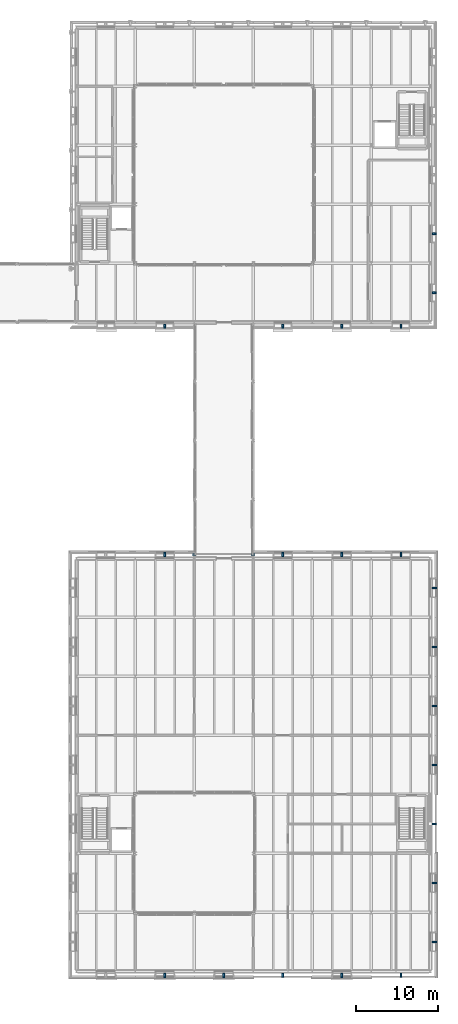
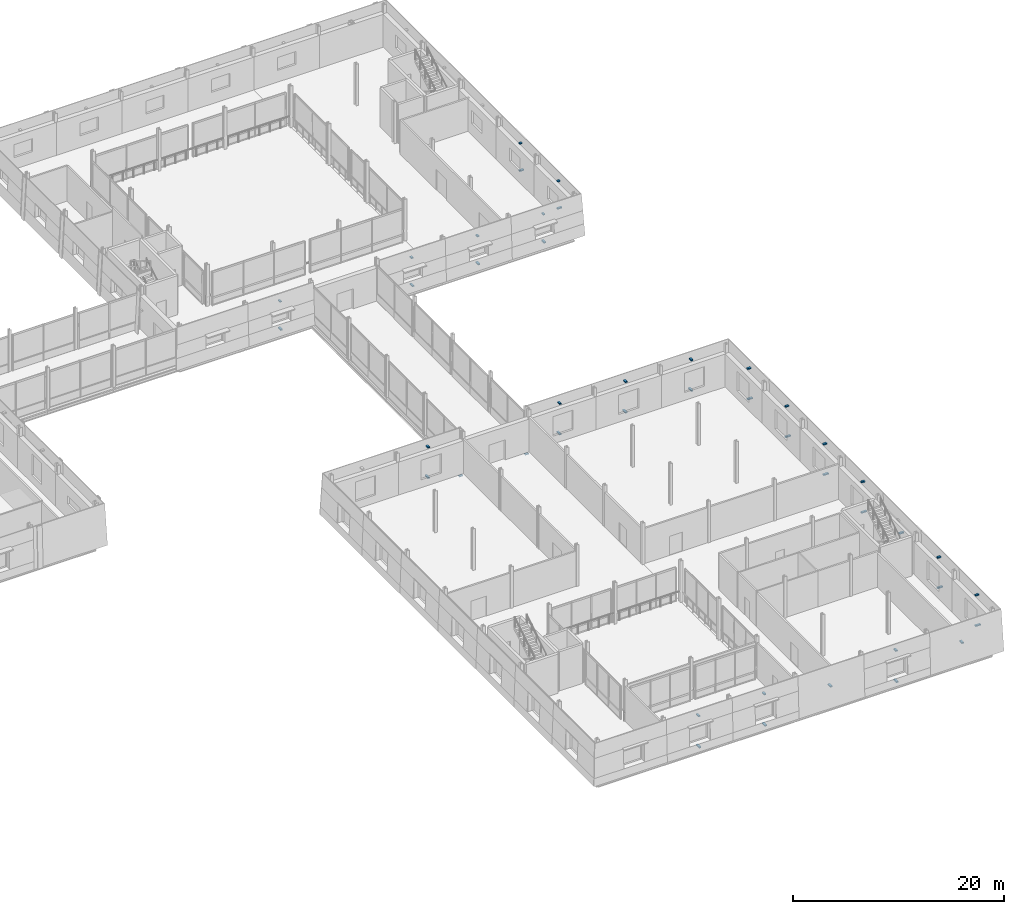
# One storey, part 97 of 121: 43 discrete accessories.
"""IFC4 building model written with IfcOpenShell, lengths in metres."""

from ifc_helpers import new_model, si_unit, direction, frame, origin, origin_2d, place, context, subcontext, project, spatial, rectangle, extrude, material, layer, layer_set, type_object, element, save


model = new_model("IFC4")

# Units and contexts
model_context = context("Model", 3, precision=1e-05, world=origin(), true_north=direction((0.0, 1.0)))
body_context = subcontext(model_context, "Body", "Model", "MODEL_VIEW")
ifc_project = project(units=[si_unit("LENGTHUNIT", "METRE"), si_unit("AREAUNIT", "SQUARE_METRE"), si_unit("VOLUMEUNIT", "CUBIC_METRE"), si_unit("PLANEANGLEUNIT", "RADIAN"), si_unit("MASSUNIT", "GRAM", prefix="KILO")], contexts=[model_context])

# Site, building, storey
site_placement = place(None, origin())
site = spatial("IfcSite", under=ifc_project, at=site_placement, CompositionType="ELEMENT")
building_placement = place(site_placement, origin())
building = spatial("IfcBuilding", under=site, at=building_placement, Name="Narikvali Park Central Library", CompositionType="ELEMENT")
storey_placement = place(building_placement, frame((0.0, 0.0, 5.39990234375)))
storey = spatial("IfcBuildingStorey", under=building, at=storey_placement, Name="L01", CompositionType="ELEMENT", Elevation=5.39990234375)

# Discrete accessories
ifc_material = material(Name="Brushed Stainless Steel S355", Category="steel")
ifc_layer_1 = layer(ifc_material, 0.139892578125, Name="Brushed Stainless Steel S355")
ifc_layer_set_1 = layer_set([ifc_layer_1], Name="Brushed Stainless Steel S355")
discrete_accessory_type_1 = type_object("IfcDiscreteAccessoryType", Name="Cladding Stainless Tie-Back Corbel Bracket", PredefinedType="BRACKET", material=ifc_layer_set_1)
discrete_accessory_1_placement = place(storey_placement, frame((133.199951171875, 78.743408203125, 0.60498046875), z_axis=(0.0, 0.0, 1.0), x_axis=(1.0, 0.0, 0.0)))
element("IfcDiscreteAccessory", 1, at=discrete_accessory_1_placement, inside=storey, type_object=discrete_accessory_type_1, Name="Limestone Cladding Tie-Back Bracket V3-CLD-L01-S-B02-SP", PredefinedType="BRACKET", context=body_context, shape_type="SweptSolid", body=[
    extrude(rectangle(XDim=0.219970703125, YDim=0.493408203125, at=origin_2d()), origin(), (0.0, 0.0, 1.0), 0.139892578125),
])
discrete_accessory_2_placement = place(storey_placement, frame((133.199951171875, 78.825439453125, 3.75537109375), z_axis=(0.0, 0.0, 1.0), x_axis=(1.0, 0.0, 0.0)))
element("IfcDiscreteAccessory", 2, at=discrete_accessory_2_placement, inside=storey, type_object=discrete_accessory_type_1, Name="Limestone Cladding Tie-Back Bracket V3-CLD-L01-S-B02-LN", PredefinedType="BRACKET", context=body_context, shape_type="SweptSolid", body=[
    extrude(rectangle(XDim=0.219970703125, YDim=0.3291015625, at=origin_2d()), origin(), (0.0, 0.0, 1.0), 0.139892578125),
])
discrete_accessory_3_placement = place(storey_placement, frame((147.60009765625, 78.743408203125, 0.60498046875), z_axis=(0.0, 0.0, 1.0), x_axis=(1.0, 0.0, 0.0)))
element("IfcDiscreteAccessory", 3, at=discrete_accessory_3_placement, inside=storey, type_object=discrete_accessory_type_1, Name="Limestone Cladding Tie-Back Bracket V3-CLD-L01-S-B04-SP", PredefinedType="BRACKET", context=body_context, shape_type="SweptSolid", body=[
    extrude(rectangle(XDim=0.219970703125, YDim=0.493408203125, at=origin_2d()), origin(), (0.0, 0.0, 1.0), 0.139892578125),
])
discrete_accessory_4_placement = place(storey_placement, frame((147.60009765625, 78.825439453125, 3.75537109375), z_axis=(0.0, 0.0, 1.0), x_axis=(1.0, 0.0, 0.0)))
element("IfcDiscreteAccessory", 4, at=discrete_accessory_4_placement, inside=storey, type_object=discrete_accessory_type_1, Name="Limestone Cladding Tie-Back Bracket V3-CLD-L01-S-B04-LN", PredefinedType="BRACKET", context=body_context, shape_type="SweptSolid", body=[
    extrude(rectangle(XDim=0.219970703125, YDim=0.3291015625, at=origin_2d()), origin(), (0.0, 0.0, 1.0), 0.139892578125),
])
discrete_accessory_5_placement = place(storey_placement, frame((154.800048828125, 78.743408203125, 0.60498046875), z_axis=(0.0, 0.0, 1.0), x_axis=(1.0, 0.0, 0.0)))
element("IfcDiscreteAccessory", 5, at=discrete_accessory_5_placement, inside=storey, type_object=discrete_accessory_type_1, Name="Limestone Cladding Tie-Back Bracket V3-CLD-L01-S-B05-SP", PredefinedType="BRACKET", context=body_context, shape_type="SweptSolid", body=[
    extrude(rectangle(XDim=0.219970703125, YDim=0.493408203125, at=origin_2d()), origin(), (0.0, 0.0, 1.0), 0.139892578125),
])
discrete_accessory_6_placement = place(storey_placement, frame((154.800048828125, 78.825439453125, 3.75537109375), z_axis=(0.0, 0.0, 1.0), x_axis=(1.0, 0.0, 0.0)))
element("IfcDiscreteAccessory", 6, at=discrete_accessory_6_placement, inside=storey, type_object=discrete_accessory_type_1, Name="Limestone Cladding Tie-Back Bracket V3-CLD-L01-S-B05-LN", PredefinedType="BRACKET", context=body_context, shape_type="SweptSolid", body=[
    extrude(rectangle(XDim=0.219970703125, YDim=0.3291015625, at=origin_2d()), origin(), (0.0, 0.0, 1.0), 0.139892578125),
])
discrete_accessory_7_placement = place(storey_placement, frame((162.0, 78.743408203125, 0.60498046875), z_axis=(0.0, 0.0, 1.0), x_axis=(1.0, 0.0, 0.0)))
element("IfcDiscreteAccessory", 7, at=discrete_accessory_7_placement, inside=storey, type_object=discrete_accessory_type_1, Name="Limestone Cladding Tie-Back Bracket V3-CLD-L01-S-B06-SP", PredefinedType="BRACKET", context=body_context, shape_type="SweptSolid", body=[
    extrude(rectangle(XDim=0.219970703125, YDim=0.493408203125, at=origin_2d()), origin(), (0.0, 0.0, 1.0), 0.139892578125),
])
discrete_accessory_8_placement = place(storey_placement, frame((162.0, 78.825439453125, 3.75537109375), z_axis=(0.0, 0.0, 1.0), x_axis=(1.0, 0.0, 0.0)))
element("IfcDiscreteAccessory", 8, at=discrete_accessory_8_placement, inside=storey, type_object=discrete_accessory_type_1, Name="Limestone Cladding Tie-Back Bracket V3-CLD-L01-S-B06-LN", PredefinedType="BRACKET", context=body_context, shape_type="SweptSolid", body=[
    extrude(rectangle(XDim=0.219970703125, YDim=0.3291015625, at=origin_2d()), origin(), (0.0, 0.0, 1.0), 0.139892578125),
])
discrete_accessory_9_placement = place(storey_placement, frame((166.056640625, 82.800048828125, 0.60498046875), z_axis=(0.0, 0.0, 1.0), x_axis=(1.0, 0.0, 0.0)))
element("IfcDiscreteAccessory", 9, at=discrete_accessory_9_placement, inside=storey, type_object=discrete_accessory_type_1, Name="Limestone Cladding Tie-Back Bracket V3-CLD-L01-E-B01-SP", PredefinedType="BRACKET", context=body_context, shape_type="SweptSolid", body=[
    extrude(rectangle(XDim=0.493408203125, YDim=0.219970703125, at=origin_2d()), origin(), (0.0, 0.0, 1.0), 0.139892578125),
])
discrete_accessory_10_placement = place(storey_placement, frame((165.974609375, 82.800048828125, 3.75537109375), z_axis=(0.0, 0.0, 1.0), x_axis=(1.0, 0.0, 0.0)))
element("IfcDiscreteAccessory", 10, at=discrete_accessory_10_placement, inside=storey, type_object=discrete_accessory_type_1, Name="Limestone Cladding Tie-Back Bracket V3-CLD-L01-E-B01-LN", PredefinedType="BRACKET", context=body_context, shape_type="SweptSolid", body=[
    extrude(rectangle(XDim=0.3291015625, YDim=0.219970703125, at=origin_2d()), origin(), (0.0, 0.0, 1.0), 0.139892578125),
])
discrete_accessory_11_placement = place(storey_placement, frame((166.056640625, 90.0, 0.60498046875), z_axis=(0.0, 0.0, 1.0), x_axis=(1.0, 0.0, 0.0)))
element("IfcDiscreteAccessory", 11, at=discrete_accessory_11_placement, inside=storey, type_object=discrete_accessory_type_1, Name="Limestone Cladding Tie-Back Bracket V3-CLD-L01-E-B02-SP", PredefinedType="BRACKET", context=body_context, shape_type="SweptSolid", body=[
    extrude(rectangle(XDim=0.493408203125, YDim=0.219970703125, at=origin_2d()), origin(), (0.0, 0.0, 1.0), 0.139892578125),
])
discrete_accessory_12_placement = place(storey_placement, frame((165.974609375, 90.0, 3.75537109375), z_axis=(0.0, 0.0, 1.0), x_axis=(1.0, 0.0, 0.0)))
element("IfcDiscreteAccessory", 12, at=discrete_accessory_12_placement, inside=storey, type_object=discrete_accessory_type_1, Name="Limestone Cladding Tie-Back Bracket V3-CLD-L01-E-B02-LN", PredefinedType="BRACKET", context=body_context, shape_type="SweptSolid", body=[
    extrude(rectangle(XDim=0.3291015625, YDim=0.219970703125, at=origin_2d()), origin(), (0.0, 0.0, 1.0), 0.139892578125),
])
discrete_accessory_13_placement = place(storey_placement, frame((133.199951171875, -0.495361328125, 0.38037109375), z_axis=(0.0, 0.0, 1.0), x_axis=(1.0, 0.0, 0.0)))
element("IfcDiscreteAccessory", 13, at=discrete_accessory_13_placement, inside=storey, type_object=discrete_accessory_type_1, Name="Limestone Cladding Tie-Back Bracket V6-CLD-L01-S-B02-SP", PredefinedType="BRACKET", context=body_context, shape_type="SweptSolid", body=[
    extrude(rectangle(XDim=0.219970703125, YDim=0.570556640625, at=origin_2d()), origin(), (0.0, 0.0, 1.0), 0.139892578125),
])
discrete_accessory_14_placement = place(storey_placement, frame((133.199951171875, -0.423095703125, 3.9052734375), z_axis=(0.0, 0.0, 1.0), x_axis=(1.0, 0.0, 0.0)))
element("IfcDiscreteAccessory", 14, at=discrete_accessory_14_placement, inside=storey, type_object=discrete_accessory_type_1, Name="Limestone Cladding Tie-Back Bracket V6-CLD-L01-S-B02-LN", PredefinedType="BRACKET", context=body_context, shape_type="SweptSolid", body=[
    extrude(rectangle(XDim=0.219970703125, YDim=0.426513671875, at=origin_2d()), origin(), (0.0, 0.0, 1.0), 0.139892578125),
])
discrete_accessory_15_placement = place(storey_placement, frame((140.39990234375, -0.495361328125, 0.38037109375), z_axis=(0.0, 0.0, 1.0), x_axis=(1.0, 0.0, 0.0)))
element("IfcDiscreteAccessory", 15, at=discrete_accessory_15_placement, inside=storey, type_object=discrete_accessory_type_1, Name="Limestone Cladding Tie-Back Bracket V6-CLD-L01-S-B03-SP", PredefinedType="BRACKET", context=body_context, shape_type="SweptSolid", body=[
    extrude(rectangle(XDim=0.219970703125, YDim=0.570556640625, at=origin_2d()), origin(), (0.0, 0.0, 1.0), 0.139892578125),
])
discrete_accessory_16_placement = place(storey_placement, frame((140.39990234375, -0.423095703125, 3.9052734375), z_axis=(0.0, 0.0, 1.0), x_axis=(1.0, 0.0, 0.0)))
element("IfcDiscreteAccessory", 16, at=discrete_accessory_16_placement, inside=storey, type_object=discrete_accessory_type_1, Name="Limestone Cladding Tie-Back Bracket V6-CLD-L01-S-B03-LN", PredefinedType="BRACKET", context=body_context, shape_type="SweptSolid", body=[
    extrude(rectangle(XDim=0.219970703125, YDim=0.426513671875, at=origin_2d()), origin(), (0.0, 0.0, 1.0), 0.139892578125),
])
discrete_accessory_17_placement = place(storey_placement, frame((147.60009765625, -0.455322265625, 2.330078125), z_axis=(0.0, 0.0, 1.0), x_axis=(1.0, 0.0, 0.0)))
element("IfcDiscreteAccessory", 17, at=discrete_accessory_17_placement, inside=storey, type_object=discrete_accessory_type_1, Name="Limestone Cladding Tie-Back Bracket V6-CLD-L01-S-B04-FULL", PredefinedType="BRACKET", context=body_context, shape_type="SweptSolid", body=[
    extrude(rectangle(XDim=0.219970703125, YDim=0.49072265625, at=origin_2d()), origin(), (0.0, 0.0, 1.0), 0.139892578125),
])
discrete_accessory_18_placement = place(storey_placement, frame((154.800048828125, -0.495361328125, 0.38037109375), z_axis=(0.0, 0.0, 1.0), x_axis=(1.0, 0.0, 0.0)))
element("IfcDiscreteAccessory", 18, at=discrete_accessory_18_placement, inside=storey, type_object=discrete_accessory_type_1, Name="Limestone Cladding Tie-Back Bracket V6-CLD-L01-S-B05-SP", PredefinedType="BRACKET", context=body_context, shape_type="SweptSolid", body=[
    extrude(rectangle(XDim=0.219970703125, YDim=0.570556640625, at=origin_2d()), origin(), (0.0, 0.0, 1.0), 0.139892578125),
])
discrete_accessory_19_placement = place(storey_placement, frame((154.800048828125, -0.423095703125, 3.9052734375), z_axis=(0.0, 0.0, 1.0), x_axis=(1.0, 0.0, 0.0)))
element("IfcDiscreteAccessory", 19, at=discrete_accessory_19_placement, inside=storey, type_object=discrete_accessory_type_1, Name="Limestone Cladding Tie-Back Bracket V6-CLD-L01-S-B05-LN", PredefinedType="BRACKET", context=body_context, shape_type="SweptSolid", body=[
    extrude(rectangle(XDim=0.219970703125, YDim=0.426513671875, at=origin_2d()), origin(), (0.0, 0.0, 1.0), 0.139892578125),
])
discrete_accessory_20_placement = place(storey_placement, frame((162.0, -0.455322265625, 2.330078125), z_axis=(0.0, 0.0, 1.0), x_axis=(1.0, 0.0, 0.0)))
element("IfcDiscreteAccessory", 20, at=discrete_accessory_20_placement, inside=storey, type_object=discrete_accessory_type_1, Name="Limestone Cladding Tie-Back Bracket V6-CLD-L01-S-B06-FULL", PredefinedType="BRACKET", context=body_context, shape_type="SweptSolid", body=[
    extrude(rectangle(XDim=0.219970703125, YDim=0.49072265625, at=origin_2d()), origin(), (0.0, 0.0, 1.0), 0.139892578125),
])
discrete_accessory_21_placement = place(storey_placement, frame((166.09521484375, 3.60009765625, 0.38037109375), z_axis=(0.0, 0.0, 1.0), x_axis=(1.0, 0.0, 0.0)))
element("IfcDiscreteAccessory", 21, at=discrete_accessory_21_placement, inside=storey, type_object=discrete_accessory_type_1, Name="Limestone Cladding Tie-Back Bracket V6-CLD-L01-E-B01-SP", PredefinedType="BRACKET", context=body_context, shape_type="SweptSolid", body=[
    extrude(rectangle(XDim=0.570556640625, YDim=0.219970703125, at=origin_2d()), origin(), (0.0, 0.0, 1.0), 0.139892578125),
])
discrete_accessory_22_placement = place(storey_placement, frame((166.023193359375, 3.60009765625, 3.9052734375), z_axis=(0.0, 0.0, 1.0), x_axis=(1.0, 0.0, 0.0)))
element("IfcDiscreteAccessory", 22, at=discrete_accessory_22_placement, inside=storey, type_object=discrete_accessory_type_1, Name="Limestone Cladding Tie-Back Bracket V6-CLD-L01-E-B01-LN", PredefinedType="BRACKET", context=body_context, shape_type="SweptSolid", body=[
    extrude(rectangle(XDim=0.426513671875, YDim=0.219970703125, at=origin_2d()), origin(), (0.0, 0.0, 1.0), 0.139892578125),
])
discrete_accessory_23_placement = place(storey_placement, frame((166.09521484375, 10.800048828125, 0.38037109375), z_axis=(0.0, 0.0, 1.0), x_axis=(1.0, 0.0, 0.0)))
element("IfcDiscreteAccessory", 23, at=discrete_accessory_23_placement, inside=storey, type_object=discrete_accessory_type_1, Name="Limestone Cladding Tie-Back Bracket V6-CLD-L01-E-B02-SP", PredefinedType="BRACKET", context=body_context, shape_type="SweptSolid", body=[
    extrude(rectangle(XDim=0.570556640625, YDim=0.219970703125, at=origin_2d()), origin(), (0.0, 0.0, 1.0), 0.139892578125),
])
discrete_accessory_24_placement = place(storey_placement, frame((166.023193359375, 10.800048828125, 3.9052734375), z_axis=(0.0, 0.0, 1.0), x_axis=(1.0, 0.0, 0.0)))
element("IfcDiscreteAccessory", 24, at=discrete_accessory_24_placement, inside=storey, type_object=discrete_accessory_type_1, Name="Limestone Cladding Tie-Back Bracket V6-CLD-L01-E-B02-LN", PredefinedType="BRACKET", context=body_context, shape_type="SweptSolid", body=[
    extrude(rectangle(XDim=0.426513671875, YDim=0.219970703125, at=origin_2d()), origin(), (0.0, 0.0, 1.0), 0.139892578125),
])
discrete_accessory_25_placement = place(storey_placement, frame((166.055419921875, 18.0, 2.330078125), z_axis=(0.0, 0.0, 1.0), x_axis=(1.0, 0.0, 0.0)))
element("IfcDiscreteAccessory", 25, at=discrete_accessory_25_placement, inside=storey, type_object=discrete_accessory_type_1, Name="Limestone Cladding Tie-Back Bracket V6-CLD-L01-E-B03-FULL", PredefinedType="BRACKET", context=body_context, shape_type="SweptSolid", body=[
    extrude(rectangle(XDim=0.49072265625, YDim=0.219970703125, at=origin_2d()), origin(), (0.0, 0.0, 1.0), 0.139892578125),
])
discrete_accessory_26_placement = place(storey_placement, frame((166.09521484375, 25.199951171875, 0.38037109375), z_axis=(0.0, 0.0, 1.0), x_axis=(1.0, 0.0, 0.0)))
element("IfcDiscreteAccessory", 26, at=discrete_accessory_26_placement, inside=storey, type_object=discrete_accessory_type_1, Name="Limestone Cladding Tie-Back Bracket V6-CLD-L01-E-B04-SP", PredefinedType="BRACKET", context=body_context, shape_type="SweptSolid", body=[
    extrude(rectangle(XDim=0.570556640625, YDim=0.219970703125, at=origin_2d()), origin(), (0.0, 0.0, 1.0), 0.139892578125),
])
discrete_accessory_27_placement = place(storey_placement, frame((166.023193359375, 25.199951171875, 3.9052734375), z_axis=(0.0, 0.0, 1.0), x_axis=(1.0, 0.0, 0.0)))
element("IfcDiscreteAccessory", 27, at=discrete_accessory_27_placement, inside=storey, type_object=discrete_accessory_type_1, Name="Limestone Cladding Tie-Back Bracket V6-CLD-L01-E-B04-LN", PredefinedType="BRACKET", context=body_context, shape_type="SweptSolid", body=[
    extrude(rectangle(XDim=0.426513671875, YDim=0.219970703125, at=origin_2d()), origin(), (0.0, 0.0, 1.0), 0.139892578125),
])
discrete_accessory_28_placement = place(storey_placement, frame((166.09521484375, 32.39990234375, 0.38037109375), z_axis=(0.0, 0.0, 1.0), x_axis=(1.0, 0.0, 0.0)))
element("IfcDiscreteAccessory", 28, at=discrete_accessory_28_placement, inside=storey, type_object=discrete_accessory_type_1, Name="Limestone Cladding Tie-Back Bracket V6-CLD-L01-E-B05-SP", PredefinedType="BRACKET", context=body_context, shape_type="SweptSolid", body=[
    extrude(rectangle(XDim=0.570556640625, YDim=0.219970703125, at=origin_2d()), origin(), (0.0, 0.0, 1.0), 0.139892578125),
])
discrete_accessory_29_placement = place(storey_placement, frame((166.023193359375, 32.39990234375, 3.9052734375), z_axis=(0.0, 0.0, 1.0), x_axis=(1.0, 0.0, 0.0)))
element("IfcDiscreteAccessory", 29, at=discrete_accessory_29_placement, inside=storey, type_object=discrete_accessory_type_1, Name="Limestone Cladding Tie-Back Bracket V6-CLD-L01-E-B05-LN", PredefinedType="BRACKET", context=body_context, shape_type="SweptSolid", body=[
    extrude(rectangle(XDim=0.426513671875, YDim=0.219970703125, at=origin_2d()), origin(), (0.0, 0.0, 1.0), 0.139892578125),
])
discrete_accessory_30_placement = place(storey_placement, frame((166.09521484375, 39.60009765625, 0.38037109375), z_axis=(0.0, 0.0, 1.0), x_axis=(1.0, 0.0, 0.0)))
element("IfcDiscreteAccessory", 30, at=discrete_accessory_30_placement, inside=storey, type_object=discrete_accessory_type_1, Name="Limestone Cladding Tie-Back Bracket V6-CLD-L01-E-B06-SP", PredefinedType="BRACKET", context=body_context, shape_type="SweptSolid", body=[
    extrude(rectangle(XDim=0.570556640625, YDim=0.219970703125, at=origin_2d()), origin(), (0.0, 0.0, 1.0), 0.139892578125),
])
discrete_accessory_31_placement = place(storey_placement, frame((166.023193359375, 39.60009765625, 3.9052734375), z_axis=(0.0, 0.0, 1.0), x_axis=(1.0, 0.0, 0.0)))
element("IfcDiscreteAccessory", 31, at=discrete_accessory_31_placement, inside=storey, type_object=discrete_accessory_type_1, Name="Limestone Cladding Tie-Back Bracket V6-CLD-L01-E-B06-LN", PredefinedType="BRACKET", context=body_context, shape_type="SweptSolid", body=[
    extrude(rectangle(XDim=0.426513671875, YDim=0.219970703125, at=origin_2d()), origin(), (0.0, 0.0, 1.0), 0.139892578125),
])
discrete_accessory_32_placement = place(storey_placement, frame((166.09521484375, 46.800048828125, 0.38037109375), z_axis=(0.0, 0.0, 1.0), x_axis=(1.0, 0.0, 0.0)))
element("IfcDiscreteAccessory", 32, at=discrete_accessory_32_placement, inside=storey, type_object=discrete_accessory_type_1, Name="Limestone Cladding Tie-Back Bracket V6-CLD-L01-E-B07-SP", PredefinedType="BRACKET", context=body_context, shape_type="SweptSolid", body=[
    extrude(rectangle(XDim=0.570556640625, YDim=0.219970703125, at=origin_2d()), origin(), (0.0, 0.0, 1.0), 0.139892578125),
])
discrete_accessory_33_placement = place(storey_placement, frame((166.023193359375, 46.800048828125, 3.9052734375), z_axis=(0.0, 0.0, 1.0), x_axis=(1.0, 0.0, 0.0)))
element("IfcDiscreteAccessory", 33, at=discrete_accessory_33_placement, inside=storey, type_object=discrete_accessory_type_1, Name="Limestone Cladding Tie-Back Bracket V6-CLD-L01-E-B07-LN", PredefinedType="BRACKET", context=body_context, shape_type="SweptSolid", body=[
    extrude(rectangle(XDim=0.426513671875, YDim=0.219970703125, at=origin_2d()), origin(), (0.0, 0.0, 1.0), 0.139892578125),
])
discrete_accessory_34_placement = place(storey_placement, frame((162.0, 50.895263671875, 0.38037109375), z_axis=(0.0, 0.0, 1.0), x_axis=(1.0, 0.0, 0.0)))
element("IfcDiscreteAccessory", 34, at=discrete_accessory_34_placement, inside=storey, type_object=discrete_accessory_type_1, Name="Limestone Cladding Tie-Back Bracket V6-CLD-L01-N-B01-SP", PredefinedType="BRACKET", context=body_context, shape_type="SweptSolid", body=[
    extrude(rectangle(XDim=0.219970703125, YDim=0.570556640625, at=origin_2d()), origin(), (0.0, 0.0, 1.0), 0.139892578125),
])
discrete_accessory_35_placement = place(storey_placement, frame((162.0, 50.8232421875, 3.9052734375), z_axis=(0.0, 0.0, 1.0), x_axis=(1.0, 0.0, 0.0)))
element("IfcDiscreteAccessory", 35, at=discrete_accessory_35_placement, inside=storey, type_object=discrete_accessory_type_1, Name="Limestone Cladding Tie-Back Bracket V6-CLD-L01-N-B01-LN", PredefinedType="BRACKET", context=body_context, shape_type="SweptSolid", body=[
    extrude(rectangle(XDim=0.219970703125, YDim=0.426513671875, at=origin_2d()), origin(), (0.0, 0.0, 1.0), 0.139892578125),
])
discrete_accessory_36_placement = place(storey_placement, frame((154.800048828125, 50.895263671875, 0.38037109375), z_axis=(0.0, 0.0, 1.0), x_axis=(1.0, 0.0, 0.0)))
element("IfcDiscreteAccessory", 36, at=discrete_accessory_36_placement, inside=storey, type_object=discrete_accessory_type_1, Name="Limestone Cladding Tie-Back Bracket V6-CLD-L01-N-B02-SP", PredefinedType="BRACKET", context=body_context, shape_type="SweptSolid", body=[
    extrude(rectangle(XDim=0.219970703125, YDim=0.570556640625, at=origin_2d()), origin(), (0.0, 0.0, 1.0), 0.139892578125),
])
discrete_accessory_37_placement = place(storey_placement, frame((154.800048828125, 50.8232421875, 3.9052734375), z_axis=(0.0, 0.0, 1.0), x_axis=(1.0, 0.0, 0.0)))
element("IfcDiscreteAccessory", 37, at=discrete_accessory_37_placement, inside=storey, type_object=discrete_accessory_type_1, Name="Limestone Cladding Tie-Back Bracket V6-CLD-L01-N-B02-LN", PredefinedType="BRACKET", context=body_context, shape_type="SweptSolid", body=[
    extrude(rectangle(XDim=0.219970703125, YDim=0.426513671875, at=origin_2d()), origin(), (0.0, 0.0, 1.0), 0.139892578125),
])
discrete_accessory_38_placement = place(storey_placement, frame((147.60009765625, 50.895263671875, 0.38037109375), z_axis=(0.0, 0.0, 1.0), x_axis=(1.0, 0.0, 0.0)))
element("IfcDiscreteAccessory", 38, at=discrete_accessory_38_placement, inside=storey, type_object=discrete_accessory_type_1, Name="Limestone Cladding Tie-Back Bracket V6-CLD-L01-N-B03-SP", PredefinedType="BRACKET", context=body_context, shape_type="SweptSolid", body=[
    extrude(rectangle(XDim=0.219970703125, YDim=0.570556640625, at=origin_2d()), origin(), (0.0, 0.0, 1.0), 0.139892578125),
])
discrete_accessory_39_placement = place(storey_placement, frame((147.60009765625, 50.8232421875, 3.9052734375), z_axis=(0.0, 0.0, 1.0), x_axis=(1.0, 0.0, 0.0)))
element("IfcDiscreteAccessory", 39, at=discrete_accessory_39_placement, inside=storey, type_object=discrete_accessory_type_1, Name="Limestone Cladding Tie-Back Bracket V6-CLD-L01-N-B03-LN", PredefinedType="BRACKET", context=body_context, shape_type="SweptSolid", body=[
    extrude(rectangle(XDim=0.219970703125, YDim=0.426513671875, at=origin_2d()), origin(), (0.0, 0.0, 1.0), 0.139892578125),
])
discrete_accessory_40_placement = place(storey_placement, frame((133.199951171875, 50.895263671875, 0.38037109375), z_axis=(0.0, 0.0, 1.0), x_axis=(1.0, 0.0, 0.0)))
element("IfcDiscreteAccessory", 40, at=discrete_accessory_40_placement, inside=storey, type_object=discrete_accessory_type_1, Name="Limestone Cladding Tie-Back Bracket V6-CLD-L01-N-B05-SP", PredefinedType="BRACKET", context=body_context, shape_type="SweptSolid", body=[
    extrude(rectangle(XDim=0.219970703125, YDim=0.570556640625, at=origin_2d()), origin(), (0.0, 0.0, 1.0), 0.139892578125),
])
discrete_accessory_41_placement = place(storey_placement, frame((133.199951171875, 50.8232421875, 3.9052734375), z_axis=(0.0, 0.0, 1.0), x_axis=(1.0, 0.0, 0.0)))
element("IfcDiscreteAccessory", 41, at=discrete_accessory_41_placement, inside=storey, type_object=discrete_accessory_type_1, Name="Limestone Cladding Tie-Back Bracket V6-CLD-L01-N-B05-LN", PredefinedType="BRACKET", context=body_context, shape_type="SweptSolid", body=[
    extrude(rectangle(XDim=0.219970703125, YDim=0.426513671875, at=origin_2d()), origin(), (0.0, 0.0, 1.0), 0.139892578125),
])
ifc_layer_2 = layer(ifc_material, 0.080078125, Name="Brushed Stainless Steel S355")
ifc_layer_set_2 = layer_set([ifc_layer_2], Name="Brushed Stainless Steel S355")
discrete_accessory_type_2 = type_object("IfcDiscreteAccessoryType", Name="Unguided PTFE Sliding Bridge Bearing", PredefinedType="BRACKET", material=ifc_layer_set_2)
for number, where, z_axis, x_axis, name in (
    (42, (136.800048828125, 50.830078125, -0.68994140625), (0.0, 0.0, 1.0), (1.0, 0.0, 0.0), "BRG-4 L01 Unguided PTFE Sliding Bearing 1"),
    (43, (144.0, 50.830078125, -0.68994140625), (0.0, 0.0, 1.0), (1.0, 0.0, 0.0), "BRG-4 L01 Unguided PTFE Sliding Bearing 2"),
):
    element("IfcDiscreteAccessory", number, at=place(storey_placement, frame(where, z_axis=z_axis, x_axis=x_axis)), inside=storey, type_object=discrete_accessory_type_2, Name=name, PredefinedType="BRACKET", context=body_context, shape_type="SweptSolid", body=[
        extrude(rectangle(XDim=0.360107421875, YDim=0.239990234375, at=origin_2d()), origin(), (0.0, 0.0, 1.0), 0.080078125),
    ])

save(model, "model.ifc")
